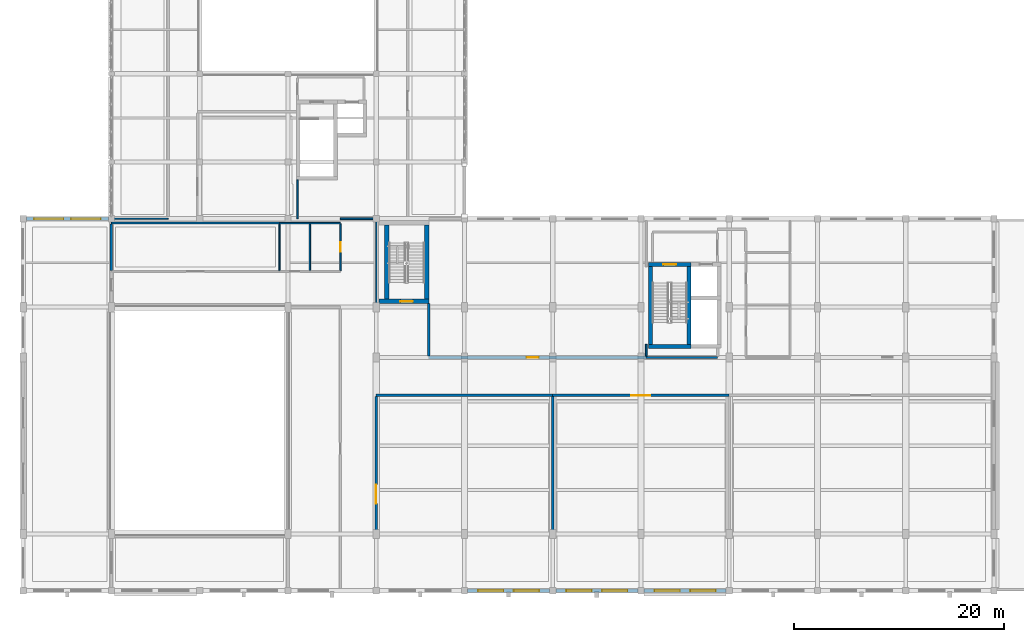
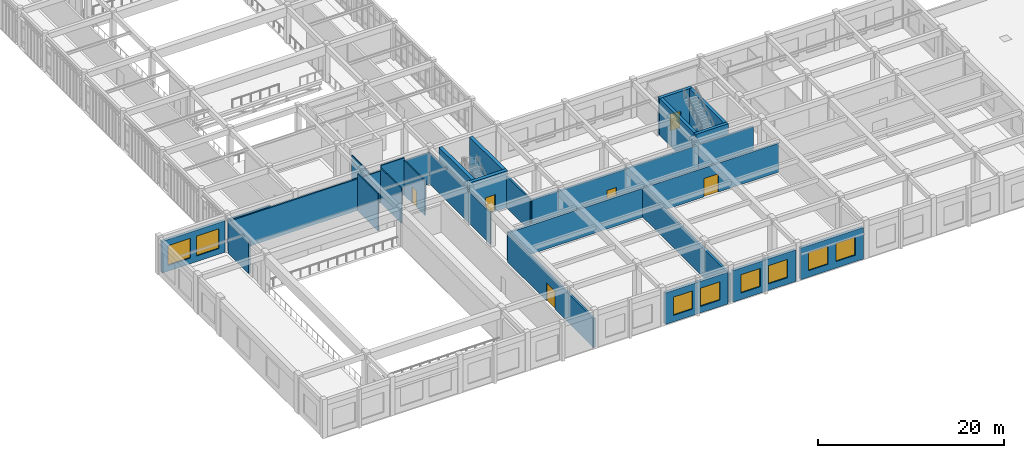
# One storey, part 57 of 77: 30 walls, 8 windows, 6 doors, 14 openings.
"""IFC4 building model written with IfcOpenShell, lengths in metres."""

from ifc_helpers import new_model, si_unit, direction, frame, frame_2d, origin, place, context, subcontext, project, spatial, rectangle, extrude, material, layer, layer_set, type_object, element, fill, save


model = new_model("IFC4")

# Units and contexts
model_context = context("Model", 3, precision=1e-05, world=origin(), true_north=direction((0.0, 1.0)))
body_context = subcontext(model_context, "Body", "Model", "MODEL_VIEW")
ifc_project = project(units=[si_unit("LENGTHUNIT", "METRE"), si_unit("AREAUNIT", "SQUARE_METRE"), si_unit("VOLUMEUNIT", "CUBIC_METRE"), si_unit("PLANEANGLEUNIT", "RADIAN"), si_unit("MASSUNIT", "GRAM", prefix="KILO")], contexts=[model_context])

# Site, building, storey
site_placement = place(None, origin())
site = spatial("IfcSite", under=ifc_project, at=site_placement, CompositionType="ELEMENT")
building_placement = place(site_placement, origin())
building = spatial("IfcBuilding", under=site, at=building_placement, Name="Krzemoval Escarpment Law Courts", CompositionType="ELEMENT")
storey_placement = place(building_placement, frame((0.0, 0.0, 15.300048828125)))
storey = spatial("IfcBuildingStorey", under=building, at=storey_placement, Name="L03", CompositionType="ELEMENT", Elevation=15.300048828125)

# Wall, openings, windows
ifc_material_1 = material(Name="Precast concrete C40/50", Category="concrete")
ifc_layer_1 = layer(ifc_material_1, 0.340087890625)
ifc_layer_set_1 = layer_set([ifc_layer_1], Name="Precast concrete C40/50")
wall_type_1 = type_object("IfcWallType", Name="WL-EXT-340", PredefinedType="SOLIDWALL", material=ifc_layer_set_1)
wall_1_placement = place(storey_placement, frame((0.300048828125, 35.39990234375, 0.0), z_axis=(0.0, 0.0, 1.0), x_axis=(1.0, 0.0, 0.0)))
wall_1 = element("IfcWall", 1, at=wall_1_placement, inside=storey, type_object=wall_type_1, Name="Exterior Wall EW-L03-0328", PredefinedType="SOLIDWALL", context=body_context, shape_type="SweptSolid", body=[
    extrude(rectangle(XDim=7.800048828125, YDim=0.340087890625, at=frame_2d((3.89990234375, 0.0))), origin(), (0.0, 0.0, 1.0), 4.139892578125),
])
opening_1_placement = place(wall_1_placement, frame((0.73291015625, 0.0, 0.75)))
opening_1 = element("IfcOpeningElement", 2, at=opening_1_placement, cuts=wall_1, Name="Opening WN-L03-0356", PredefinedType="OPENING", context=body_context, shape_type="SweptSolid", body=[
    extrude(rectangle(XDim=2.800048828125, YDim=2.60009765625, at=frame_2d((1.39990234375, 1.300048828125))), frame((0.0, 0.18504, 0.0), z_axis=(0.0, -1.0, 0.0), x_axis=(1.0, 0.0, 0.0)), (0.0, 0.0, 1.0), 0.37009),
])
opening_2_placement = place(wall_1_placement, frame((4.26708984375, 0.0, 0.75)))
opening_2 = element("IfcOpeningElement", 3, at=opening_2_placement, cuts=wall_1, Name="Opening WN-L03-0357", PredefinedType="OPENING", context=body_context, shape_type="SweptSolid", body=[
    extrude(rectangle(XDim=2.800048828125, YDim=2.60009765625, at=frame_2d((1.39990234375, 1.300048828125))), frame((0.0, 0.18504, 0.0), z_axis=(0.0, -1.0, 0.0), x_axis=(1.0, 0.0, 0.0)), (0.0, 0.0, 1.0), 0.37009),
])
ifc_material_2 = material(Name="Thermally Broken Aluminium Frame with Triple Low-E Acoustic Glass", Category="aluminium")
window_type_1 = type_object("IfcWindowType", Name="WN-2800x2600", PartitioningType="SINGLE_PANEL", PredefinedType="WINDOW", material=ifc_material_2)
window_1_placement = place(opening_1_placement, origin())
window_1 = element("IfcWindow", 4, at=window_1_placement, inside=storey, type_object=window_type_1, Name="Facade Window WN-L03-0356", OverallHeight=2.60009765625, OverallWidth=2.800048828125, PartitioningType="SINGLE_PANEL", PredefinedType="WINDOW", context=body_context, shape_type="SweptSolid", body=[
    extrude(rectangle(XDim=2.800048828125, YDim=2.60009765625, at=frame_2d((1.39990234375, 1.300048828125))), frame((0.0, 0.030029296875, 0.0), z_axis=(0.0, -1.0, 0.0), x_axis=(1.0, 0.0, 0.0)), (0.0, 0.0, 1.0), 0.06005859375),
])
fill(opening_1, window_1)
window_2_placement = place(opening_2_placement, origin())
window_2 = element("IfcWindow", 5, at=window_2_placement, inside=storey, type_object=window_type_1, Name="Facade Window WN-L03-0357", OverallHeight=2.60009765625, OverallWidth=2.800048828125, PartitioningType="SINGLE_PANEL", PredefinedType="WINDOW", context=body_context, shape_type="SweptSolid", body=[
    extrude(rectangle(XDim=2.800048828125, YDim=2.60009765625, at=frame_2d((1.39990234375, 1.300048828125))), frame((0.0, 0.030029296875, 0.0), z_axis=(0.0, -1.0, 0.0), x_axis=(1.0, 0.0, 0.0)), (0.0, 0.0, 1.0), 0.06005859375),
])
fill(opening_2, window_2)

wall_2_placement = place(storey_placement, frame((66.89990234375, 0.0, 0.0), z_axis=(0.0, 0.0, 1.0), x_axis=(-1.0, 0.0, 0.0)))
wall_2 = element("IfcWall", 6, at=wall_2_placement, inside=storey, type_object=wall_type_1, Name="Exterior Wall EW-L03-0348", PredefinedType="SOLIDWALL", context=body_context, shape_type="SweptSolid", body=[
    extrude(rectangle(XDim=7.7998046875, YDim=0.340087890625, at=frame_2d((3.89990234375, 0.0))), origin(), (0.0, 0.0, 1.0), 4.139892578125),
])
opening_3_placement = place(wall_2_placement, frame((1.0, 0.0, 0.85009765625)))
opening_3 = element("IfcOpeningElement", 7, at=opening_3_placement, cuts=wall_2, Name="Opening WN-L03-0388", PredefinedType="OPENING", context=body_context, shape_type="SweptSolid", body=[
    extrude(rectangle(XDim=2.39990234375, YDim=2.39990234375, at=frame_2d((1.199951171875, 1.199951171875))), frame((0.0, 0.18504, 0.0), z_axis=(0.0, -1.0, 0.0), x_axis=(1.0, 0.0, 0.0)), (0.0, 0.0, 1.0), 0.37009),
])
opening_4_placement = place(wall_2_placement, frame((4.39990234375, 0.0, 0.85009765625)))
opening_4 = element("IfcOpeningElement", 8, at=opening_4_placement, cuts=wall_2, Name="Opening WN-L03-0389", PredefinedType="OPENING", context=body_context, shape_type="SweptSolid", body=[
    extrude(rectangle(XDim=2.39990234375, YDim=2.39990234375, at=frame_2d((1.199951171875, 1.199951171875))), frame((0.0, 0.18504, 0.0), z_axis=(0.0, -1.0, 0.0), x_axis=(1.0, 0.0, 0.0)), (0.0, 0.0, 1.0), 0.37009),
])
ifc_material_3 = material(Name="Thermally Broken Aluminium Frame with Triple Low-E Acoustic Glass", Category="aluminium")
window_type_2 = type_object("IfcWindowType", Name="WN-2400x2400", PartitioningType="SINGLE_PANEL", PredefinedType="WINDOW", material=ifc_material_3)
window_3_placement = place(opening_3_placement, origin())
window_3 = element("IfcWindow", 9, at=window_3_placement, inside=storey, type_object=window_type_2, Name="Facade Window WN-L03-0388", OverallHeight=2.39990234375, OverallWidth=2.39990234375, PartitioningType="SINGLE_PANEL", PredefinedType="WINDOW", context=body_context, shape_type="SweptSolid", body=[
    extrude(rectangle(XDim=2.39990234375, YDim=2.39990234375, at=frame_2d((1.199951171875, 1.199951171875))), frame((0.0, 0.030029296875, 0.0), z_axis=(0.0, -1.0, 0.0), x_axis=(1.0, 0.0, 0.0)), (0.0, 0.0, 1.0), 0.06005859375),
])
fill(opening_3, window_3)
window_4_placement = place(opening_4_placement, origin())
window_4 = element("IfcWindow", 10, at=window_4_placement, inside=storey, type_object=window_type_2, Name="Facade Window WN-L03-0389", OverallHeight=2.39990234375, OverallWidth=2.39990234375, PartitioningType="SINGLE_PANEL", PredefinedType="WINDOW", context=body_context, shape_type="SweptSolid", body=[
    extrude(rectangle(XDim=2.39990234375, YDim=2.39990234375, at=frame_2d((1.199951171875, 1.199951171875))), frame((0.0, 0.030029296875, 0.0), z_axis=(0.0, -1.0, 0.0), x_axis=(1.0, 0.0, 0.0)), (0.0, 0.0, 1.0), 0.06005859375),
])
fill(opening_4, window_4)

wall_3_placement = place(storey_placement, frame((58.5, 0.0, 0.0), z_axis=(0.0, 0.0, 1.0), x_axis=(-1.0, 0.0, 0.0)))
wall_3 = element("IfcWall", 11, at=wall_3_placement, inside=storey, type_object=wall_type_1, Name="Exterior Wall EW-L03-0349", PredefinedType="SOLIDWALL", context=body_context, shape_type="SweptSolid", body=[
    extrude(rectangle(XDim=7.800048828125, YDim=0.340087890625, at=frame_2d((3.89990234375, 0.0))), origin(), (0.0, 0.0, 1.0), 4.139892578125),
])
opening_5_placement = place(wall_3_placement, frame((1.0, 0.0, 0.85009765625)))
opening_5 = element("IfcOpeningElement", 12, at=opening_5_placement, cuts=wall_3, Name="Opening WN-L03-0390", PredefinedType="OPENING", context=body_context, shape_type="SweptSolid", body=[
    extrude(rectangle(XDim=2.39990234375, YDim=2.39990234375, at=frame_2d((1.199951171875, 1.199951171875))), frame((0.0, 0.18504, 0.0), z_axis=(0.0, -1.0, 0.0), x_axis=(1.0, 0.0, 0.0)), (0.0, 0.0, 1.0), 0.37009),
])
opening_6_placement = place(wall_3_placement, frame((4.39990234375, 0.0, 0.85009765625)))
opening_6 = element("IfcOpeningElement", 13, at=opening_6_placement, cuts=wall_3, Name="Opening WN-L03-0391", PredefinedType="OPENING", context=body_context, shape_type="SweptSolid", body=[
    extrude(rectangle(XDim=2.39990234375, YDim=2.39990234375, at=frame_2d((1.199951171875, 1.199951171875))), frame((0.0, 0.18504, 0.0), z_axis=(0.0, -1.0, 0.0), x_axis=(1.0, 0.0, 0.0)), (0.0, 0.0, 1.0), 0.37009),
])
window_5_placement = place(opening_5_placement, origin())
window_5 = element("IfcWindow", 14, at=window_5_placement, inside=storey, type_object=window_type_2, Name="Facade Window WN-L03-0390", OverallHeight=2.39990234375, OverallWidth=2.39990234375, PartitioningType="SINGLE_PANEL", PredefinedType="WINDOW", context=body_context, shape_type="SweptSolid", body=[
    extrude(rectangle(XDim=2.39990234375, YDim=2.39990234375, at=frame_2d((1.199951171875, 1.199951171875))), frame((0.0, 0.030029296875, 0.0), z_axis=(0.0, -1.0, 0.0), x_axis=(1.0, 0.0, 0.0)), (0.0, 0.0, 1.0), 0.06005859375),
])
fill(opening_5, window_5)
window_6_placement = place(opening_6_placement, origin())
window_6 = element("IfcWindow", 15, at=window_6_placement, inside=storey, type_object=window_type_2, Name="Facade Window WN-L03-0391", OverallHeight=2.39990234375, OverallWidth=2.39990234375, PartitioningType="SINGLE_PANEL", PredefinedType="WINDOW", context=body_context, shape_type="SweptSolid", body=[
    extrude(rectangle(XDim=2.39990234375, YDim=2.39990234375, at=frame_2d((1.199951171875, 1.199951171875))), frame((0.0, 0.030029296875, 0.0), z_axis=(0.0, -1.0, 0.0), x_axis=(1.0, 0.0, 0.0)), (0.0, 0.0, 1.0), 0.06005859375),
])
fill(opening_6, window_6)

wall_4_placement = place(storey_placement, frame((50.10009765625, 0.0, 0.0), z_axis=(0.0, 0.0, 1.0), x_axis=(-1.0, 0.0, 0.0)))
wall_4 = element("IfcWall", 16, at=wall_4_placement, inside=storey, type_object=wall_type_1, Name="Exterior Wall EW-L03-0350", PredefinedType="SOLIDWALL", context=body_context, shape_type="SweptSolid", body=[
    extrude(rectangle(XDim=7.800048828125, YDim=0.340087890625, at=frame_2d((3.89990234375, 0.0))), origin(), (0.0, 0.0, 1.0), 4.139892578125),
])
opening_7_placement = place(wall_4_placement, frame((1.0, 0.0, 0.85009765625)))
opening_7 = element("IfcOpeningElement", 17, at=opening_7_placement, cuts=wall_4, Name="Opening WN-L03-0392", PredefinedType="OPENING", context=body_context, shape_type="SweptSolid", body=[
    extrude(rectangle(XDim=2.39990234375, YDim=2.39990234375, at=frame_2d((1.199951171875, 1.199951171875))), frame((0.0, 0.18504, 0.0), z_axis=(0.0, -1.0, 0.0), x_axis=(1.0, 0.0, 0.0)), (0.0, 0.0, 1.0), 0.37009),
])
opening_8_placement = place(wall_4_placement, frame((4.39990234375, 0.0, 0.85009765625)))
opening_8 = element("IfcOpeningElement", 18, at=opening_8_placement, cuts=wall_4, Name="Opening WN-L03-0393", PredefinedType="OPENING", context=body_context, shape_type="SweptSolid", body=[
    extrude(rectangle(XDim=2.39990234375, YDim=2.39990234375, at=frame_2d((1.199951171875, 1.199951171875))), frame((0.0, 0.18504, 0.0), z_axis=(0.0, -1.0, 0.0), x_axis=(1.0, 0.0, 0.0)), (0.0, 0.0, 1.0), 0.37009),
])
window_7_placement = place(opening_7_placement, origin())
window_7 = element("IfcWindow", 19, at=window_7_placement, inside=storey, type_object=window_type_2, Name="Facade Window WN-L03-0392", OverallHeight=2.39990234375, OverallWidth=2.39990234375, PartitioningType="SINGLE_PANEL", PredefinedType="WINDOW", context=body_context, shape_type="SweptSolid", body=[
    extrude(rectangle(XDim=2.39990234375, YDim=2.39990234375, at=frame_2d((1.199951171875, 1.199951171875))), frame((0.0, 0.030029296875, 0.0), z_axis=(0.0, -1.0, 0.0), x_axis=(1.0, 0.0, 0.0)), (0.0, 0.0, 1.0), 0.06005859375),
])
fill(opening_7, window_7)
window_8_placement = place(opening_8_placement, origin())
window_8 = element("IfcWindow", 20, at=window_8_placement, inside=storey, type_object=window_type_2, Name="Facade Window WN-L03-0393", OverallHeight=2.39990234375, OverallWidth=2.39990234375, PartitioningType="SINGLE_PANEL", PredefinedType="WINDOW", context=body_context, shape_type="SweptSolid", body=[
    extrude(rectangle(XDim=2.39990234375, YDim=2.39990234375, at=frame_2d((1.199951171875, 1.199951171875))), frame((0.0, 0.030029296875, 0.0), z_axis=(0.0, -1.0, 0.0), x_axis=(1.0, 0.0, 0.0)), (0.0, 0.0, 1.0), 0.06005859375),
])
fill(opening_8, window_8)

# Walls
ifc_material_4 = material(Name="Light Internal Subdivision Partition", Category="gypsum")
ifc_layer_2 = layer(ifc_material_4, 0.114990234375)
ifc_layer_set_2 = layer_set([ifc_layer_2], Name="Light Internal Subdivision Partition")
wall_type_2 = type_object("IfcWallType", Name="WL-PRT-115", PredefinedType="PARTITIONING", material=ifc_layer_set_2)
wall_5_placement = place(storey_placement, frame((8.451904296875, 35.39990234375, 0.0), z_axis=(0.0, 0.0, 1.0), x_axis=(1.0, 0.0, 0.0)))
element("IfcWall", 21, at=wall_5_placement, inside=storey, type_object=wall_type_2, Name="Interior Partition PW-L03-0512", PredefinedType="PARTITIONING", context=body_context, shape_type="SweptSolid", body=[
    extrude(rectangle(XDim=5.34814453125, YDim=0.114990234375, at=frame_2d((2.674072265625, 0.0))), origin(), (0.0, 0.0, 1.0), 4.139892578125),
])
ifc_material_5 = material(Name="Standard Metal-Stud Gypsum Partition", Category="gypsum")
ifc_layer_3 = layer(ifc_material_5, 0.125)
ifc_layer_set_3 = layer_set([ifc_layer_3], Name="Standard Metal-Stud Gypsum Partition")
wall_type_3 = type_object("IfcWallType", Name="WL-PRT-125", PredefinedType="PARTITIONING", material=ifc_layer_set_3)
wall_6_placement = place(storey_placement, frame((26.10009765625, 35.39990234375, 0.0), z_axis=(0.0, 0.0, 1.0), x_axis=(0.0, 1.0, 0.0)))
element("IfcWall", 22, at=wall_6_placement, inside=storey, type_object=wall_type_3, Name="Interior Partition PW-L03-0542", PredefinedType="PARTITIONING", context=body_context, shape_type="SweptSolid", body=[
    extrude(rectangle(XDim=3.697998046875, YDim=0.125, at=frame_2d((1.84912109375, 0.0))), origin(), (0.0, 0.0, 1.0), 4.139892578125),
])
wall_7_placement = place(storey_placement, frame((33.60009765625, 22.199951171875, 0.0), z_axis=(0.0, 0.0, 1.0), x_axis=(0.0, 1.0, 0.0)))
element("IfcWall", 23, at=wall_7_placement, inside=storey, type_object=wall_type_3, Name="Interior Partition PW-L03-0547", PredefinedType="PARTITIONING", context=body_context, shape_type="SweptSolid", body=[
    extrude(rectangle(XDim=13.1181640625, YDim=0.125, at=frame_2d((6.55908203125, 0.0))), origin(), (0.0, 0.0, 1.0), 4.139892578125),
])
ifc_material_6 = material(Name="Sanitary Moisture-Resistant Partition", Category="gypsum")
ifc_layer_4 = layer(ifc_material_6, 0.139892578125)
ifc_layer_set_4 = layer_set([ifc_layer_4], Name="Sanitary Moisture-Resistant Partition")
wall_type_4 = type_object("IfcWallType", Name="WL-PRT-140", PredefinedType="PARTITIONING", material=ifc_layer_set_4)
wall_8_placement = place(storey_placement, frame((24.39990234375, 35.0, 0.0), z_axis=(0.0, 0.0, 1.0), x_axis=(1.0, 0.0, 0.0)))
element("IfcWall", 24, at=wall_8_placement, inside=storey, type_object=wall_type_4, Name="Interior Partition PW-L03-0509", PredefinedType="PARTITIONING", context=body_context, shape_type="SweptSolid", body=[
    extrude(rectangle(XDim=2.900146484375, YDim=0.139892578125, at=frame_2d((1.4501953125, 0.0))), origin(), (0.0, 0.0, 1.0), 4.139892578125),
])
wall_9_placement = place(storey_placement, frame((27.300048828125, 35.0, 0.0), z_axis=(0.0, 0.0, 1.0), x_axis=(1.0, 0.0, 0.0)))
element("IfcWall", 25, at=wall_9_placement, inside=storey, type_object=wall_type_4, Name="Interior Partition PW-L03-0510", PredefinedType="PARTITIONING", context=body_context, shape_type="SweptSolid", body=[
    extrude(rectangle(XDim=2.89990234375, YDim=0.139892578125, at=frame_2d((1.449951171875, 0.0))), origin(), (0.0, 0.0, 1.0), 4.83984375),
])
wall_10_placement = place(storey_placement, frame((24.39990234375, 30.47705078125, 0.0), z_axis=(0.0, 0.0, 1.0), x_axis=(0.0, 1.0, 0.0)))
element("IfcWall", 26, at=wall_10_placement, inside=storey, type_object=wall_type_4, Name="Interior Partition PW-L03-0538", PredefinedType="PARTITIONING", context=body_context, shape_type="SweptSolid", body=[
    extrude(rectangle(XDim=4.430908203125, YDim=0.139892578125, at=frame_2d((2.21533203125, 0.0))), origin(), (0.0, 0.0, 1.0), 4.83984375),
])
wall_11_placement = place(storey_placement, frame((27.300048828125, 30.471923828125, 0.0), z_axis=(0.0, 0.0, 1.0), x_axis=(0.0, 1.0, 0.0)))
element("IfcWall", 27, at=wall_11_placement, inside=storey, type_object=wall_type_4, Name="Interior Partition PW-L03-0543", PredefinedType="PARTITIONING", context=body_context, shape_type="SweptSolid", body=[
    extrude(rectangle(XDim=4.4560546875, YDim=0.139892578125, at=frame_2d((2.22802734375, 0.0))), origin(), (0.0, 0.0, 1.0), 4.5400390625),
])

# Wall, opening, door
wall_12_placement = place(storey_placement, frame((30.199951171875, 30.471923828125, 0.0), z_axis=(0.0, 0.0, 1.0), x_axis=(0.0, 1.0, 0.0)))
wall_12 = element("IfcWall", 28, at=wall_12_placement, inside=storey, type_object=wall_type_4, Name="Interior Partition PW-L03-0545", PredefinedType="PARTITIONING", context=body_context, shape_type="SweptSolid", body=[
    extrude(rectangle(XDim=4.4560546875, YDim=0.139892578125, at=frame_2d((2.22802734375, 0.0))), origin(), (0.0, 0.0, 1.0), 4.5400390625),
])
opening_9_placement = place(wall_12_placement, frame((1.778076171875, 0.0, 0.0)))
opening_9 = element("IfcOpeningElement", 29, at=opening_9_placement, cuts=wall_12, Name="Opening D-L03-0176", PredefinedType="OPENING", context=body_context, shape_type="SweptSolid", body=[
    extrude(rectangle(XDim=0.89990234375, YDim=2.10009765625, at=frame_2d((0.449951171875, 1.050048828125))), frame((0.0, 0.08495, 0.0), z_axis=(0.0, -1.0, 0.0), x_axis=(1.0, 0.0, 0.0)), (0.0, 0.0, 1.0), 0.16989),
])
ifc_material_7 = material(Name="Engineered Solid-Core Oak Acoustic Timber", Category="wood")
door_type_1 = type_object("IfcDoorType", Name="DR-INT-900x2100", OperationType="SINGLE_SWING_LEFT", PredefinedType="DOOR", material=ifc_material_7)
door_1_placement = place(opening_9_placement, origin())
door_1 = element("IfcDoor", 30, at=door_1_placement, inside=storey, type_object=door_type_1, Name="Room Door D-L03-0176", OperationType="SINGLE_SWING_LEFT", OverallHeight=2.10009765625, OverallWidth=0.89990234375, PredefinedType="DOOR", context=body_context, shape_type="SweptSolid", body=[
    extrude(rectangle(XDim=0.89990234375, YDim=2.10009765625, at=frame_2d((0.449951171875, 1.050048828125))), frame((0.0, 0.02490234375, 0.0), z_axis=(0.0, -1.0, 0.0), x_axis=(1.0, 0.0, 0.0)), (0.0, 0.0, 1.0), 0.050048828125),
])
fill(opening_9, door_1)

# Walls
ifc_material_8 = material(Name="Jury Suite Partition Assembly", Category="gypsum")
ifc_layer_5 = layer(ifc_material_8, 0.159912109375)
ifc_layer_set_5 = layer_set([ifc_layer_5], Name="Jury Suite Partition Assembly")
wall_type_5 = type_object("IfcWallType", Name="WL-PRT-160", PredefinedType="PARTITIONING", material=ifc_layer_set_5)
wall_13_placement = place(storey_placement, frame((30.199951171875, 35.39990234375, 0.0), z_axis=(0.0, 0.0, 1.0), x_axis=(1.0, 0.0, 0.0)))
element("IfcWall", 31, at=wall_13_placement, inside=storey, type_object=wall_type_5, Name="Interior Partition PW-L03-0511", PredefinedType="PARTITIONING", context=body_context, shape_type="SweptSolid", body=[
    extrude(rectangle(XDim=3.400146484375, YDim=0.159912109375, at=frame_2d((1.7001953125, 0.0))), origin(), (0.0, 0.0, 1.0), 4.139892578125),
])
wall_14_placement = place(storey_placement, frame((59.300048828125, 22.33203125, 0.0), z_axis=(0.0, 0.0, 1.0), x_axis=(0.0, 1.0, 0.0)))
element("IfcWall", 32, at=wall_14_placement, inside=storey, type_object=wall_type_5, Name="Interior Partition PW-L03-0556", PredefinedType="PARTITIONING", context=body_context, shape_type="SweptSolid", body=[
    extrude(rectangle(XDim=1.119873046875, YDim=0.159912109375, at=frame_2d((0.56005859375, 0.0))), origin(), (0.0, 0.0, 1.0), 4.139892578125),
])
ifc_material_9 = material(Name="Judicial Chambers Acoustic Partition", Category="gypsum")
ifc_layer_6 = layer(ifc_material_9, 0.179931640625)
ifc_layer_set_6 = layer_set([ifc_layer_6], Name="Judicial Chambers Acoustic Partition")
wall_type_6 = type_object("IfcWallType", Name="WL-PRT-180", PredefinedType="PARTITIONING", material=ifc_layer_set_6)
wall_15_placement = place(storey_placement, frame((8.39990234375, 35.0, 0.0), z_axis=(0.0, 0.0, 1.0), x_axis=(1.0, 0.0, 0.0)))
element("IfcWall", 33, at=wall_15_placement, inside=storey, type_object=wall_type_6, Name="Interior Partition PW-L03-0508", PredefinedType="PARTITIONING", context=body_context, shape_type="SweptSolid", body=[
    extrude(rectangle(XDim=16.0, YDim=0.179931640625, at=frame_2d((8.0, 0.0))), origin(), (0.0, 0.0, 1.0), 4.139892578125),
])
ifc_material_10 = material(Name="Solid Calcium-Silicate Custody Blockwork Partition", Category="masonry")
ifc_layer_7 = layer(ifc_material_10, 0.219970703125)
ifc_layer_set_7 = layer_set([ifc_layer_7], Name="Solid Calcium-Silicate Custody Blockwork Partition")
wall_type_7 = type_object("IfcWallType", Name="WL-PRT-220", PredefinedType="PARTITIONING", material=ifc_layer_set_7)
wall_16_placement = place(storey_placement, frame((38.60009765625, 22.33203125, 0.0), z_axis=(0.0, 0.0, 1.0), x_axis=(0.0, 1.0, 0.0)))
element("IfcWall", 34, at=wall_16_placement, inside=storey, type_object=wall_type_7, Name="Interior Partition PW-L03-0554", PredefinedType="PARTITIONING", context=body_context, shape_type="SweptSolid", body=[
    extrude(rectangle(XDim=4.995849609375, YDim=0.219970703125, at=frame_2d((2.498046875, 0.0))), origin(), (0.0, 0.0, 1.0), 4.139892578125),
])
ifc_material_11 = material(Name="Acoustic Calcium-Silicate Block Wall", Category="masonry")
ifc_layer_8 = layer(ifc_material_11, 0.22998046875)
ifc_layer_set_8 = layer_set([ifc_layer_8], Name="Acoustic Calcium-Silicate Block Wall")
wall_type_8 = type_object("IfcWallType", Name="WL-PRT-230", PredefinedType="SOLIDWALL", material=ifc_layer_set_8)
wall_17_placement = place(storey_placement, frame((59.300048828125, 22.199951171875, 0.0), z_axis=(0.0, 0.0, 1.0), x_axis=(1.0, 0.0, 0.0)))
element("IfcWall", 35, at=wall_17_placement, inside=storey, type_object=wall_type_8, Name="Interior Partition PW-L03-0489", PredefinedType="SOLIDWALL", context=body_context, shape_type="SweptSolid", body=[
    extrude(rectangle(XDim=6.800048828125, YDim=0.22998046875, at=frame_2d((3.39990234375, 0.0))), origin(), (0.0, 0.0, 1.0), 4.139892578125),
])

# Wall, opening, door
ifc_material_12 = material(Name="Acoustic Courtroom Partition Assembly", Category="gypsum")
ifc_layer_9 = layer(ifc_material_12, 0.239990234375)
ifc_layer_set_9 = layer_set([ifc_layer_9], Name="Acoustic Courtroom Partition Assembly")
wall_type_9 = type_object("IfcWallType", Name="WL-PRT-240", PredefinedType="PARTITIONING", material=ifc_layer_set_9)
wall_18_placement = place(storey_placement, frame((50.39990234375, 18.60009765625, 0.0), z_axis=(0.0, 0.0, 1.0), x_axis=(1.0, 0.0, 0.0)))
wall_18 = element("IfcWall", 36, at=wall_18_placement, inside=storey, type_object=wall_type_9, Name="Interior Partition PW-L03-0486", PredefinedType="PARTITIONING", context=body_context, shape_type="SweptSolid", body=[
    extrude(rectangle(XDim=16.800048828125, YDim=0.239990234375, at=frame_2d((8.39990234375, 0.0))), origin(), (0.0, 0.0, 1.0), 3.7900390625),
])
opening_10_placement = place(wall_18_placement, frame((7.5, 0.0, 0.0)))
opening_10 = element("IfcOpeningElement", 37, at=opening_10_placement, cuts=wall_18, Name="Opening D-L03-0178", PredefinedType="OPENING", context=body_context, shape_type="SweptSolid", body=[
    extrude(rectangle(XDim=1.800048828125, YDim=2.39990234375, at=frame_2d((0.89990234375, 1.199951171875))), frame((0.0, 0.135, 0.0), z_axis=(0.0, -1.0, 0.0), x_axis=(1.0, 0.0, 0.0)), (0.0, 0.0, 1.0), 0.26999),
])
ifc_material_13 = material(Name="Engineered Solid-Core Oak Acoustic Timber", Category="wood")
door_type_2 = type_object("IfcDoorType", Name="DR-CRT-1800x2400", OperationType="SINGLE_SWING_LEFT", PredefinedType="DOOR", material=ifc_material_13)
door_2_placement = place(opening_10_placement, origin())
door_2 = element("IfcDoor", 38, at=door_2_placement, inside=storey, type_object=door_type_2, Name="Room Door D-L03-0178", OperationType="SINGLE_SWING_LEFT", OverallHeight=2.39990234375, OverallWidth=1.800048828125, PredefinedType="DOOR", context=body_context, shape_type="SweptSolid", body=[
    extrude(rectangle(XDim=1.800048828125, YDim=2.39990234375, at=frame_2d((0.89990234375, 1.199951171875))), frame((0.0, 0.02490234375, 0.0), z_axis=(0.0, -1.0, 0.0), x_axis=(1.0, 0.0, 0.0)), (0.0, 0.0, 1.0), 0.050048828125),
])
fill(opening_10, door_2)

# Wall
wall_19_placement = place(storey_placement, frame((8.39990234375, 30.47705078125, 0.0), z_axis=(0.0, 0.0, 1.0), x_axis=(0.0, 1.0, 0.0)))
element("IfcWall", 39, at=wall_19_placement, inside=storey, type_object=wall_type_9, Name="Interior Partition PW-L03-0534", PredefinedType="PARTITIONING", context=body_context, shape_type="SweptSolid", body=[
    extrude(rectangle(XDim=4.430908203125, YDim=0.239990234375, at=frame_2d((2.21533203125, 0.0))), origin(), (0.0, 0.0, 1.0), 4.139892578125),
])

# Wall, opening, door
wall_20_placement = place(storey_placement, frame((33.60009765625, -0.06396484375, 0.0), z_axis=(0.0, 0.0, 1.0), x_axis=(0.0, 1.0, 0.0)))
wall_20 = element("IfcWall", 40, at=wall_20_placement, inside=storey, type_object=wall_type_9, Name="Interior Partition PW-L03-0548", PredefinedType="PARTITIONING", context=body_context, shape_type="SweptSolid", body=[
    extrude(rectangle(XDim=18.531982421875, YDim=0.239990234375, at=frame_2d((9.26611328125, 0.0))), origin(), (0.0, 0.0, 1.0), 3.7900390625),
])
opening_11_placement = place(wall_20_placement, frame((8.365966796875, 0.0, 0.0)))
opening_11 = element("IfcOpeningElement", 41, at=opening_11_placement, cuts=wall_20, Name="Opening D-L03-0177", PredefinedType="OPENING", context=body_context, shape_type="SweptSolid", body=[
    extrude(rectangle(XDim=1.800048828125, YDim=2.39990234375, at=frame_2d((0.89990234375, 1.199951171875))), frame((0.0, 0.135, 0.0), z_axis=(0.0, -1.0, 0.0), x_axis=(1.0, 0.0, 0.0)), (0.0, 0.0, 1.0), 0.26999),
])
door_3_placement = place(opening_11_placement, origin())
door_3 = element("IfcDoor", 42, at=door_3_placement, inside=storey, type_object=door_type_2, Name="Room Door D-L03-0177", OperationType="SINGLE_SWING_LEFT", OverallHeight=2.39990234375, OverallWidth=1.800048828125, PredefinedType="DOOR", context=body_context, shape_type="SweptSolid", body=[
    extrude(rectangle(XDim=1.800048828125, YDim=2.39990234375, at=frame_2d((0.89990234375, 1.199951171875))), frame((0.0, 0.02490234375, 0.0), z_axis=(0.0, -1.0, 0.0), x_axis=(1.0, 0.0, 0.0)), (0.0, 0.0, 1.0), 0.050048828125),
])
fill(opening_11, door_3)

# Wall
ifc_material_14 = material(Name="Acoustic Double-Stud Gypsum and Mineral Wool Wall", Category="gypsum")
ifc_layer_10 = layer(ifc_material_14, 0.260009765625)
ifc_layer_set_10 = layer_set([ifc_layer_10], Name="Acoustic Double-Stud Gypsum and Mineral Wool Wall")
wall_type_10 = type_object("IfcWallType", Name="WL-PRT-260", PredefinedType="PARTITIONING", material=ifc_layer_set_10)
wall_21_placement = place(storey_placement, frame((33.60009765625, 18.60009765625, 0.0), z_axis=(0.0, 0.0, 1.0), x_axis=(1.0, 0.0, 0.0)))
element("IfcWall", 43, at=wall_21_placement, inside=storey, type_object=wall_type_10, Name="Interior Partition PW-L03-0485", PredefinedType="PARTITIONING", context=body_context, shape_type="SweptSolid", body=[
    extrude(rectangle(XDim=16.7998046875, YDim=0.260009765625, at=frame_2d((8.39990234375, 0.0))), origin(), (0.0, 0.0, 1.0), 3.7900390625),
])

# Wall, opening, door
wall_22_placement = place(storey_placement, frame((38.60009765625, 22.199951171875, 0.0), z_axis=(0.0, 0.0, 1.0), x_axis=(1.0, 0.0, 0.0)))
wall_22 = element("IfcWall", 44, at=wall_22_placement, inside=storey, type_object=wall_type_10, Name="Interior Partition PW-L03-0490", PredefinedType="PARTITIONING", context=body_context, shape_type="SweptSolid", body=[
    extrude(rectangle(XDim=20.699951171875, YDim=0.260009765625, at=frame_2d((10.35009765625, 0.0))), origin(), (0.0, 0.0, 1.0), 4.139892578125),
])
opening_12_placement = place(wall_22_placement, frame((9.324951171875, 0.0, 0.0)))
opening_12 = element("IfcOpeningElement", 45, at=opening_12_placement, cuts=wall_22, Name="Opening D-L03-0180", PredefinedType="OPENING", context=body_context, shape_type="SweptSolid", body=[
    extrude(rectangle(XDim=1.14990234375, YDim=2.14990234375, at=frame_2d((0.574951171875, 1.074951171875))), frame((0.0, 0.145, 0.0), z_axis=(0.0, -1.0, 0.0), x_axis=(1.0, 0.0, 0.0)), (0.0, 0.0, 1.0), 0.29001),
])
ifc_material_15 = material(Name="Engineered Solid-Core Oak Acoustic Timber", Category="wood")
door_type_3 = type_object("IfcDoorType", Name="DR-INT-1150x2150", OperationType="SINGLE_SWING_LEFT", PredefinedType="DOOR", material=ifc_material_15)
door_4_placement = place(opening_12_placement, origin())
door_4 = element("IfcDoor", 46, at=door_4_placement, inside=storey, type_object=door_type_3, Name="Room Door D-L03-0180", OperationType="SINGLE_SWING_RIGHT", OverallHeight=2.14990234375, OverallWidth=1.14990234375, PredefinedType="DOOR", context=body_context, shape_type="SweptSolid", body=[
    extrude(rectangle(XDim=1.14990234375, YDim=2.14990234375, at=frame_2d((0.574951171875, 1.074951171875))), frame((0.0, 0.02490234375, 0.0), z_axis=(0.0, -1.0, 0.0), x_axis=(1.0, 0.0, 0.0)), (0.0, 0.0, 1.0), 0.050048828125),
])
fill(opening_12, door_4)

# Wall
wall_23_placement = place(storey_placement, frame((50.39990234375, -0.06396484375, 0.0), z_axis=(0.0, 0.0, 1.0), x_axis=(0.0, 1.0, 0.0)))
element("IfcWall", 47, at=wall_23_placement, inside=storey, type_object=wall_type_10, Name="Interior Partition PW-L03-0555", PredefinedType="PARTITIONING", context=body_context, shape_type="SweptSolid", body=[
    extrude(rectangle(XDim=18.531982421875, YDim=0.260009765625, at=frame_2d((9.26611328125, 0.0))), origin(), (0.0, 0.0, 1.0), 3.7900390625),
])

# Wall, opening, door
ifc_material_16 = material(Name="Concrete C40/50", Category="concrete")
ifc_layer_11 = layer(ifc_material_16, 0.3798828125)
ifc_layer_set_11 = layer_set([ifc_layer_11], Name="Concrete C40/50")
wall_type_11 = type_object("IfcWallType", Name="WL-SHW-380", PredefinedType="SHEAR", material=ifc_layer_set_11)
wall_24_placement = place(storey_placement, frame((59.52001953125, 31.0400390625, 0.0), z_axis=(0.0, 0.0, 1.0), x_axis=(1.0, 0.0, 0.0)))
wall_24 = element("IfcWall", 48, at=wall_24_placement, inside=storey, type_object=wall_type_11, Name="Core Stair Shear Wall SW-L03-0487", PredefinedType="SHEAR", context=body_context, shape_type="SweptSolid", body=[
    extrude(rectangle(XDim=4.06005859375, YDim=0.3798828125, at=frame_2d((2.030029296875, 0.0))), origin(), (0.0, 0.0, 1.0), 4.83984375),
])
opening_13_placement = place(wall_24_placement, frame((1.429931640625, 0.0, 0.0)))
opening_13 = element("IfcOpeningElement", 49, at=opening_13_placement, cuts=wall_24, Name="Opening SD-ST4-L03", PredefinedType="OPENING", context=body_context, shape_type="SweptSolid", body=[
    extrude(rectangle(XDim=1.199951171875, YDim=2.199951171875, at=frame_2d((0.60009765625, 1.10009765625))), frame((0.0, 0.20494, 0.0), z_axis=(0.0, -1.0, 0.0), x_axis=(1.0, 0.0, 0.0)), (0.0, 0.0, 1.0), 0.40988),
])
ifc_material_17 = material(Name="Galvanised Steel S355", Category="steel")
door_type_4 = type_object("IfcDoorType", Name="DR-STR-1200x2200", OperationType="SINGLE_SWING_LEFT", PredefinedType="DOOR", material=ifc_material_17)
door_5_placement = place(opening_13_placement, origin())
door_5 = element("IfcDoor", 50, at=door_5_placement, inside=storey, type_object=door_type_4, Name="Stair Exit Door SD-ST4-L03", OperationType="SINGLE_SWING_RIGHT", OverallHeight=2.199951171875, OverallWidth=1.199951171875, PredefinedType="DOOR", context=body_context, shape_type="SweptSolid", body=[
    extrude(rectangle(XDim=1.199951171875, YDim=2.199951171875, at=frame_2d((0.60009765625, 1.10009765625))), frame((0.0, 0.02490234375, 0.0), z_axis=(0.0, -1.0, 0.0), x_axis=(1.0, 0.0, 0.0)), (0.0, 0.0, 1.0), 0.050048828125),
])
fill(opening_13, door_5)

# Walls
wall_25_placement = place(storey_placement, frame((59.52001953125, 23.260009765625, 0.0), z_axis=(0.0, 0.0, 1.0), x_axis=(1.0, 0.0, 0.0)))
element("IfcWall", 51, at=wall_25_placement, inside=storey, type_object=wall_type_11, Name="Core Stair Shear Wall SW-L03-0488", PredefinedType="SHEAR", context=body_context, shape_type="SweptSolid", body=[
    extrude(rectangle(XDim=4.06005859375, YDim=0.3798828125, at=frame_2d((2.030029296875, 0.0))), origin(), (0.0, 0.0, 1.0), 4.83984375),
])
for number, where, z_axis, x_axis, name in (
    (52, (59.7099609375, 23.451904296875, 0.0), (0.0, 0.0, 1.0), (0.0, 1.0, 0.0), "Core Stair Shear Wall SW-L03-0489"),
    (53, (63.389892578125, 23.451904296875, 0.0), (0.0, 0.0, 1.0), (0.0, 1.0, 0.0), "Core Stair Shear Wall SW-L03-0490"),
):
    element("IfcWall", number, at=place(storey_placement, frame(where, z_axis=z_axis, x_axis=x_axis)), inside=storey, type_object=wall_type_11, Name=name, PredefinedType="SHEAR", context=body_context, shape_type="SweptSolid", body=[
        extrude(rectangle(XDim=7.39599609375, YDim=0.3798828125, at=frame_2d((3.697998046875, 0.0))), origin(), (0.0, 0.0, 1.0), 4.83984375),
    ])

# Wall, opening, door
ifc_material_18 = material(Name="Concrete C40/50", Category="concrete")
ifc_layer_12 = layer(ifc_material_18, 0.419921875)
ifc_layer_set_12 = layer_set([ifc_layer_12], Name="Concrete C40/50")
wall_type_12 = type_object("IfcWallType", Name="WL-SHW-420", PredefinedType="SHEAR", material=ifc_layer_set_12)
wall_26_placement = place(storey_placement, frame((33.886962890625, 27.5400390625, 0.0), z_axis=(0.0, 0.0, 1.0), x_axis=(1.0, 0.0, 0.0)))
wall_26 = element("IfcWall", 54, at=wall_26_placement, inside=storey, type_object=wall_type_12, Name="Core Stair Shear Wall SW-L03-0612", PredefinedType="SHEAR", context=body_context, shape_type="SweptSolid", body=[
    extrude(rectangle(XDim=4.733154296875, YDim=0.419921875, at=frame_2d((2.36669921875, 0.0))), origin(), (0.0, 0.0, 1.0), 4.83984375),
])
opening_14_placement = place(wall_26_placement, frame((2.012939453125, 0.0, 0.0)))
opening_14 = element("IfcOpeningElement", 55, at=opening_14_placement, cuts=wall_26, Name="Opening SD-ST9-L03", PredefinedType="OPENING", context=body_context, shape_type="SweptSolid", body=[
    extrude(rectangle(XDim=1.199951171875, YDim=2.199951171875, at=frame_2d((0.60009765625, 1.10009765625))), frame((0.0, 0.22496, 0.0), z_axis=(0.0, -1.0, 0.0), x_axis=(1.0, 0.0, 0.0)), (0.0, 0.0, 1.0), 0.44992),
])
door_6_placement = place(opening_14_placement, origin())
door_6 = element("IfcDoor", 56, at=door_6_placement, inside=storey, type_object=door_type_4, Name="Stair Exit Door SD-ST9-L03", OperationType="SINGLE_SWING_RIGHT", OverallHeight=2.199951171875, OverallWidth=1.199951171875, PredefinedType="DOOR", context=body_context, shape_type="SweptSolid", body=[
    extrude(rectangle(XDim=1.199951171875, YDim=2.199951171875, at=frame_2d((0.60009765625, 1.10009765625))), frame((0.0, 0.02490234375, 0.0), z_axis=(0.0, -1.0, 0.0), x_axis=(1.0, 0.0, 0.0)), (0.0, 0.0, 1.0), 0.050048828125),
])
fill(opening_14, door_6)

# Walls
for number, where, z_axis, x_axis, name in (
    (57, (34.590087890625, 27.751953125, 0.0), (0.0, 0.0, 1.0), (0.0, 1.0, 0.0), "Core Stair Shear Wall SW-L03-0613"),
    (58, (38.409912109375, 27.751953125, 0.0), (0.0, 0.0, 1.0), (0.0, 1.0, 0.0), "Core Stair Shear Wall SW-L03-0614"),
):
    element("IfcWall", number, at=place(storey_placement, frame(where, z_axis=z_axis, x_axis=x_axis)), inside=storey, type_object=wall_type_12, Name=name, PredefinedType="SHEAR", context=body_context, shape_type="SweptSolid", body=[
        extrude(rectangle(XDim=7.046142578125, YDim=0.419921875, at=frame_2d((3.52294921875, 0.0))), origin(), (0.0, 0.0, 1.0), 4.83984375),
    ])

save(model, "model.ifc")
